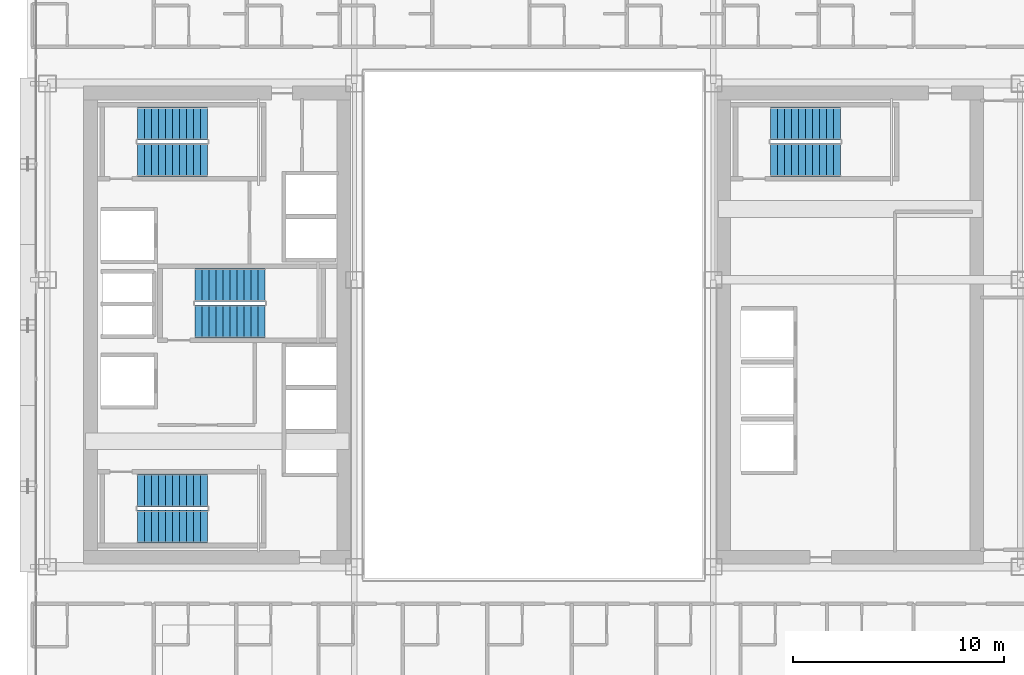
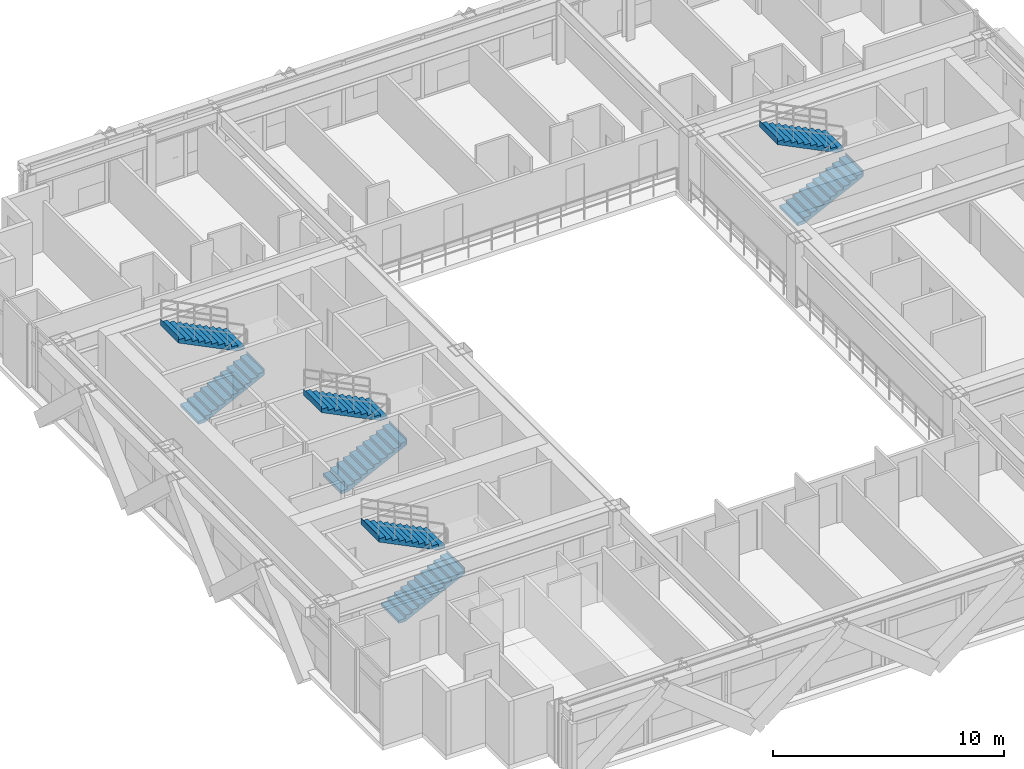
# One storey, part 32 of 36: 8 stair flights, 4 elements without a shape of their own.
"""IFC4 building model written with IfcOpenShell, lengths in metres."""

from ifc_helpers import new_model, si_unit, direction, frame, origin, place, context, subcontext, project, spatial, polyline, outline, extrude, source, transform, mapped, material, type_object, element, aggregate, save


model = new_model("IFC4")

# Units and contexts
model_context = context("Model", 3, precision=1e-05, world=origin(), true_north=direction((0.0, 1.0)))
body_context = subcontext(model_context, "Body", "Model", "MODEL_VIEW")
ifc_project = project(units=[si_unit("LENGTHUNIT", "METRE"), si_unit("AREAUNIT", "SQUARE_METRE"), si_unit("VOLUMEUNIT", "CUBIC_METRE"), si_unit("PLANEANGLEUNIT", "RADIAN"), si_unit("MASSUNIT", "GRAM", prefix="KILO")], contexts=[model_context])

# Site, building, storey
site_placement = place(None, origin())
site = spatial("IfcSite", under=ifc_project, at=site_placement, CompositionType="ELEMENT")
building_placement = place(site_placement, origin())
building = spatial("IfcBuilding", under=site, at=building_placement, Name="Ocotamira Hotel", CompositionType="ELEMENT")
storey_placement = place(building_placement, frame((0.0, 0.0, 133.199951171875)))
storey = spatial("IfcBuildingStorey", under=building, at=storey_placement, Name="L33", CompositionType="ELEMENT", Elevation=133.199951171875)

# Stair, stair flights
ifc_material = material(Name="Concrete C40/50", Category="concrete")
stair_type = type_object("IfcStairType", Name="ST-CORE-1560", PredefinedType="HALF_TURN_STAIR", material=ifc_material)
stair_1_placement = place(storey_placement, origin())
stair_1 = element("IfcStair", 1, at=stair_1_placement, inside=storey, type_object=stair_type, Name="L33 Exit Stair ST-1", PredefinedType="HALF_TURN_STAIR")
stair_flight_type = type_object("IfcStairFlightType", Name="STF-CORE-1560", PredefinedType="STRAIGHT", material=ifc_material)
shared_shape = source(origin(), body_context, "Body", "SweptSolid", [
    extrude(outline(polyline([(-0.00390625, 0.0), (-0.00390625, 0.16357421875), (0.330078125, 0.16357421875), (0.330078125, 0.327392578125), (0.659912109375, 0.327392578125), (0.659912109375, 0.490966796875), (0.989990234375, 0.490966796875), (0.989990234375, 0.654541015625), (1.320068359375, 0.654541015625), (1.320068359375, 0.818115234375), (1.64990234375, 0.818115234375), (1.64990234375, 0.98193359375), (1.97998046875, 0.98193359375), (1.97998046875, 1.1455078125), (2.31005859375, 1.1455078125), (2.31005859375, 1.30908203125), (2.639892578125, 1.30908203125), (2.639892578125, 1.47265625), (2.969970703125, 1.47265625), (2.969970703125, 1.636474609375), (3.300048828125, 1.636474609375), (3.300048828125, 1.800048828125), (3.303955078125, 1.800048828125), (3.303955078125, 1.468994140625), (0.33740234375, 0.0), (-0.00390625, 0.0)])), frame((0.0, 0.780029296875, 0.0), z_axis=(0.0, -1.0, 0.0), x_axis=(1.0, 0.0, 0.0)), (0.0, 0.0, 1.0), 1.56005859375),
])
stair_flight_1_placement = place(storey_placement, frame((13.22998046875, 16.449951171875, 0.0), z_axis=(0.0, 0.0, 1.0), x_axis=(1.0, 0.0, 0.0)))
stair_flight_1 = element("IfcStairFlight", 2, at=stair_flight_1_placement, type_object=stair_flight_type, Name="ST-1 flight 1", NumberOfRisers=11, NumberOfTreads=10, PredefinedType="STRAIGHT", RiserHeight=0.163636364, TreadLength=0.33, context=body_context, shape_type="MappedRepresentation", body=[
    mapped(shared_shape, transform((0.0, 0.0, 0.0), scale=1.0)),
])
stair_flight_2_placement = place(storey_placement, frame((16.530029296875, 18.169921875, 1.800048828125), z_axis=(0.0, 0.0, 1.0), x_axis=(-1.0, 0.0, 0.0)))
stair_flight_2 = element("IfcStairFlight", 3, at=stair_flight_2_placement, type_object=stair_flight_type, Name="ST-1 flight 2", NumberOfRisers=11, NumberOfTreads=10, PredefinedType="STRAIGHT", RiserHeight=0.163636364, TreadLength=0.33, context=body_context, shape_type="MappedRepresentation", body=[
    mapped(shared_shape, transform((0.0, 0.0, 0.0), scale=1.0)),
])
aggregate(stair_1, [stair_flight_1, stair_flight_2])

stair_2_placement = place(storey_placement, origin())
stair_2 = element("IfcStair", 4, at=stair_2_placement, inside=storey, type_object=stair_type, Name="L33 Exit Stair ST-2", PredefinedType="HALF_TURN_STAIR")
stair_flight_3_placement = place(storey_placement, frame((13.22998046875, 33.830078125, 0.0), z_axis=(0.0, 0.0, 1.0), x_axis=(1.0, 0.0, 0.0)))
stair_flight_3 = element("IfcStairFlight", 5, at=stair_flight_3_placement, type_object=stair_flight_type, Name="ST-2 flight 1", NumberOfRisers=11, NumberOfTreads=10, PredefinedType="STRAIGHT", RiserHeight=0.163636364, TreadLength=0.33, context=body_context, shape_type="MappedRepresentation", body=[
    mapped(shared_shape, transform((0.0, 0.0, 0.0), scale=1.0)),
])
stair_flight_4_placement = place(storey_placement, frame((16.530029296875, 35.550048828125, 1.800048828125), z_axis=(0.0, 0.0, 1.0), x_axis=(-1.0, 0.0, 0.0)))
stair_flight_4 = element("IfcStairFlight", 6, at=stair_flight_4_placement, type_object=stair_flight_type, Name="ST-2 flight 2", NumberOfRisers=11, NumberOfTreads=10, PredefinedType="STRAIGHT", RiserHeight=0.163636364, TreadLength=0.33, context=body_context, shape_type="MappedRepresentation", body=[
    mapped(shared_shape, transform((0.0, 0.0, 0.0), scale=1.0)),
])
aggregate(stair_2, [stair_flight_3, stair_flight_4])

stair_3_placement = place(storey_placement, origin())
stair_3 = element("IfcStair", 7, at=stair_3_placement, inside=storey, type_object=stair_type, Name="L33 Exit Stair ST-3", PredefinedType="HALF_TURN_STAIR")
stair_flight_5_placement = place(storey_placement, frame((15.9599609375, 26.179931640625, 0.0), z_axis=(0.0, 0.0, 1.0), x_axis=(1.0, 0.0, 0.0)))
stair_flight_5 = element("IfcStairFlight", 8, at=stair_flight_5_placement, type_object=stair_flight_type, Name="ST-3 flight 1", NumberOfRisers=11, NumberOfTreads=10, PredefinedType="STRAIGHT", RiserHeight=0.163636364, TreadLength=0.33, context=body_context, shape_type="MappedRepresentation", body=[
    mapped(shared_shape, transform((0.0, 0.0, 0.0), scale=1.0)),
])
stair_flight_6_placement = place(storey_placement, frame((19.260009765625, 27.89990234375, 1.800048828125), z_axis=(0.0, 0.0, 1.0), x_axis=(-1.0, 0.0, 0.0)))
stair_flight_6 = element("IfcStairFlight", 9, at=stair_flight_6_placement, type_object=stair_flight_type, Name="ST-3 flight 2", NumberOfRisers=11, NumberOfTreads=10, PredefinedType="STRAIGHT", RiserHeight=0.163636364, TreadLength=0.33, context=body_context, shape_type="MappedRepresentation", body=[
    mapped(shared_shape, transform((0.0, 0.0, 0.0), scale=1.0)),
])
aggregate(stair_3, [stair_flight_5, stair_flight_6])

stair_4_placement = place(storey_placement, origin())
stair_4 = element("IfcStair", 10, at=stair_4_placement, inside=storey, type_object=stair_type, Name="L33 Exit Stair ST-4", PredefinedType="HALF_TURN_STAIR")
stair_flight_7_placement = place(storey_placement, frame((43.22998046875, 33.830078125, 0.0), z_axis=(0.0, 0.0, 1.0), x_axis=(1.0, 0.0, 0.0)))
stair_flight_7 = element("IfcStairFlight", 11, at=stair_flight_7_placement, type_object=stair_flight_type, Name="ST-4 flight 1", NumberOfRisers=11, NumberOfTreads=10, PredefinedType="STRAIGHT", RiserHeight=0.163636364, TreadLength=0.33, context=body_context, shape_type="MappedRepresentation", body=[
    mapped(shared_shape, transform((0.0, 0.0, 0.0), scale=1.0)),
])
stair_flight_8_placement = place(storey_placement, frame((46.530029296875, 35.550048828125, 1.800048828125), z_axis=(0.0, 0.0, 1.0), x_axis=(-1.0, 0.0, 0.0)))
stair_flight_8 = element("IfcStairFlight", 12, at=stair_flight_8_placement, type_object=stair_flight_type, Name="ST-4 flight 2", NumberOfRisers=11, NumberOfTreads=10, PredefinedType="STRAIGHT", RiserHeight=0.163636364, TreadLength=0.33, context=body_context, shape_type="MappedRepresentation", body=[
    mapped(shared_shape, transform((0.0, 0.0, 0.0), scale=1.0)),
])
aggregate(stair_4, [stair_flight_7, stair_flight_8])

save(model, "model.ifc")
